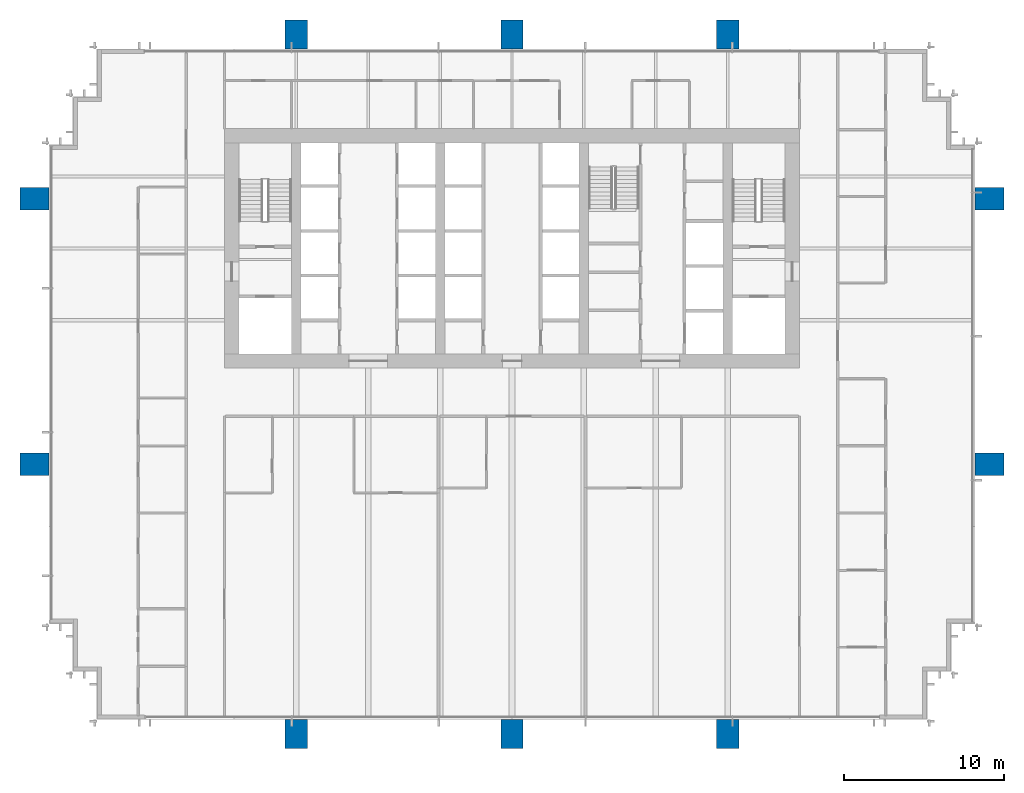
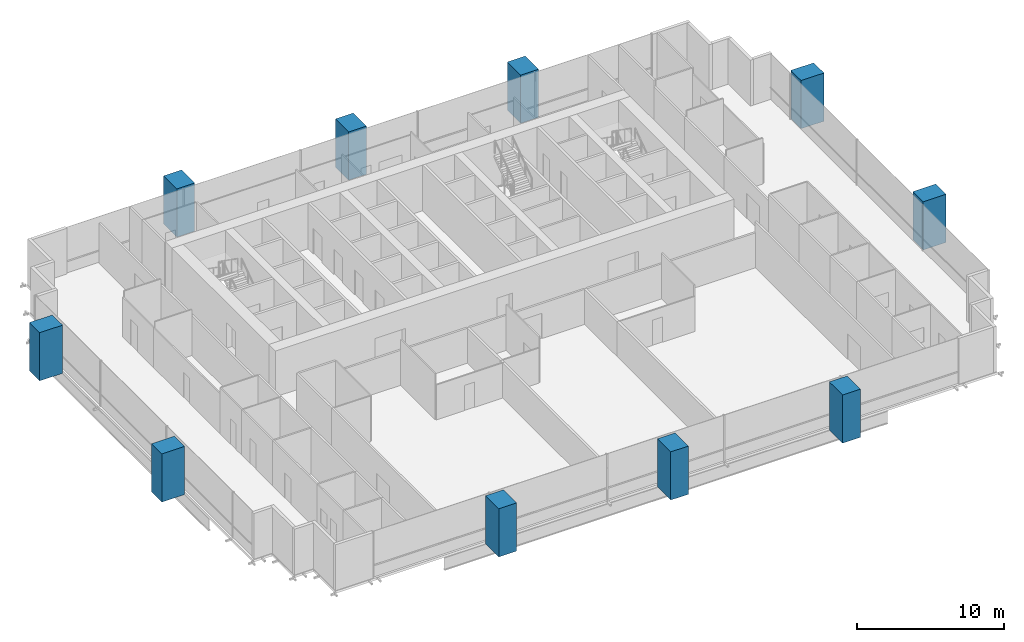
# One storey, part 1 of 15: 10 columns.
"""IFC4 building model written with IfcOpenShell, lengths in metres."""

from ifc_helpers import new_model, si_unit, direction, frame, origin, origin_2d, place, context, subcontext, project, spatial, rectangle, extrude, material, material_profile, profile_set, type_object, element, save


model = new_model("IFC4")

# Units and contexts
model_context = context("Model", 3, precision=1e-05, world=origin(), true_north=direction((0.0, 1.0)))
body_context = subcontext(model_context, "Body", "Model", "MODEL_VIEW")
ifc_project = project(units=[si_unit("LENGTHUNIT", "METRE"), si_unit("AREAUNIT", "SQUARE_METRE"), si_unit("VOLUMEUNIT", "CUBIC_METRE"), si_unit("PLANEANGLEUNIT", "RADIAN"), si_unit("MASSUNIT", "GRAM", prefix="KILO")], contexts=[model_context])

# Site, building, storey
site_placement = place(None, origin())
site = spatial("IfcSite", under=ifc_project, at=site_placement, CompositionType="ELEMENT")
building_placement = place(site_placement, origin())
building = spatial("IfcBuilding", under=site, at=building_placement, Name="Rattan Terrace Tower", CompositionType="ELEMENT")
storey_placement = place(building_placement, frame((0.0, 0.0, 142.10009765625)))
storey = spatial("IfcBuildingStorey", under=building, at=storey_placement, Name="L32", CompositionType="ELEMENT", Elevation=142.10009765625)

# Columns
ifc_material = material(Name="Concrete C50/60", Category="concrete")
ifc_material_profile = material_profile(ifc_material, rectangle(XDim=1.39990234375, YDim=1.800048828125, at=origin_2d()), Name="CFT 1800x1400")
ifc_profile_set = profile_set([ifc_material_profile], Name="Concrete C50/60")
column_type = type_object("IfcColumnType", Name="Frame exoskeleton column CFT 1800x1400", PredefinedType="COLUMN", material=ifc_profile_set)
for number, where, z_axis, x_axis, name in (
    (1, (-13.5, -30.39990234375, -0.2001953125), (0.0, 0.0, 1.0), (1.0, 0.0, 0.0), "exo-L32-001"),
    (2, (0.0, -30.39990234375, -0.2001953125), (0.0, 0.0, 1.0), (1.0, 0.0, 0.0), "exo-L32-002"),
    (3, (13.5, -30.39990234375, -0.2001953125), (0.0, 0.0, 1.0), (1.0, 0.0, 0.0), "exo-L32-003"),
    (4, (-29.89990234375, -13.5, -0.2001953125), (0.0, 0.0, 1.0), (0.0, 1.0, 0.0), "exo-L32-004"),
    (5, (29.89990234375, -13.5, -0.2001953125), (0.0, 0.0, 1.0), (0.0, 1.0, 0.0), "exo-L32-005"),
    (6, (-29.89990234375, 3.10009765625, -0.2001953125), (0.0, 0.0, 1.0), (0.0, 1.0, 0.0), "exo-L32-006"),
    (7, (29.89990234375, 3.10009765625, -0.2001953125), (0.0, 0.0, 1.0), (0.0, 1.0, 0.0), "exo-L32-007"),
    (8, (-13.5, 13.39990234375, -0.2001953125), (0.0, 0.0, 1.0), (1.0, 0.0, 0.0), "exo-L32-008"),
    (9, (0.0, 13.39990234375, -0.2001953125), (0.0, 0.0, 1.0), (1.0, 0.0, 0.0), "exo-L32-009"),
    (10, (13.5, 13.39990234375, -0.2001953125), (0.0, 0.0, 1.0), (1.0, 0.0, 0.0), "exo-L32-010"),
):
    element("IfcColumn", number, at=place(storey_placement, frame(where, z_axis=z_axis, x_axis=x_axis)), inside=storey, type_object=column_type, Name=name, PredefinedType="COLUMN", context=body_context, shape_type="SweptSolid", body=[
        extrude(rectangle(XDim=1.39990234375, YDim=1.800048828125, at=origin_2d()), origin(), (0.0, 0.0, 1.0), 4.0),
    ])

save(model, "model.ifc")
